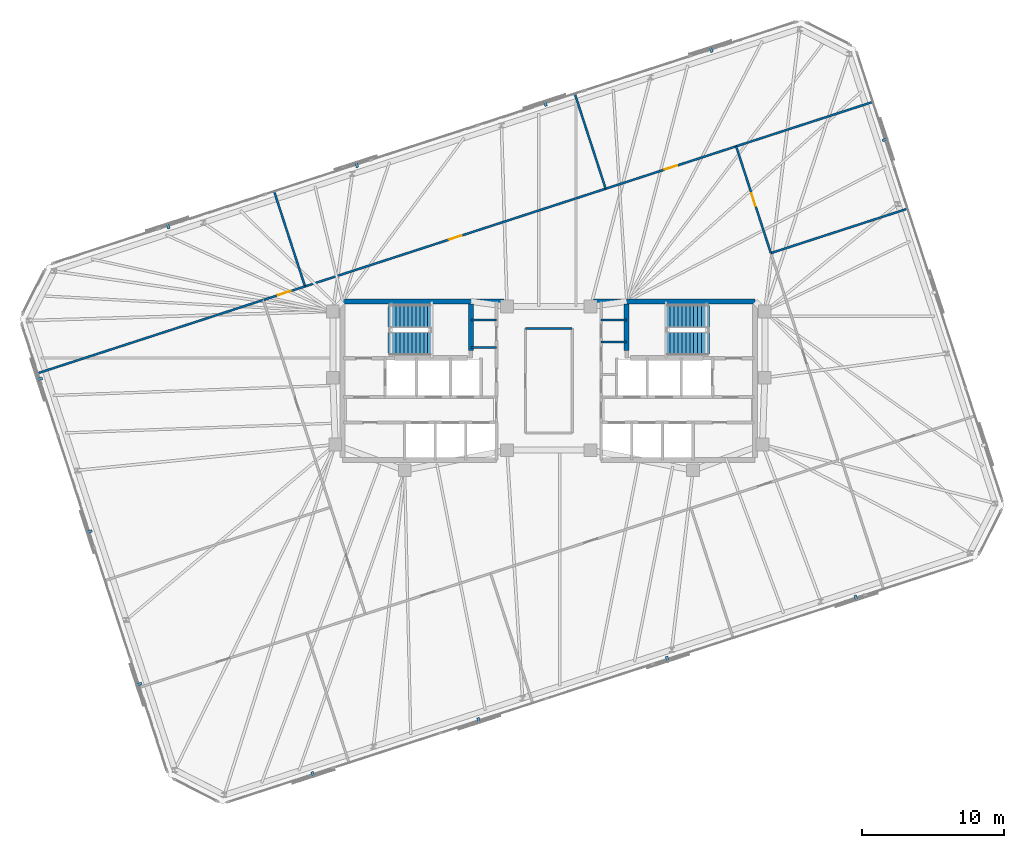
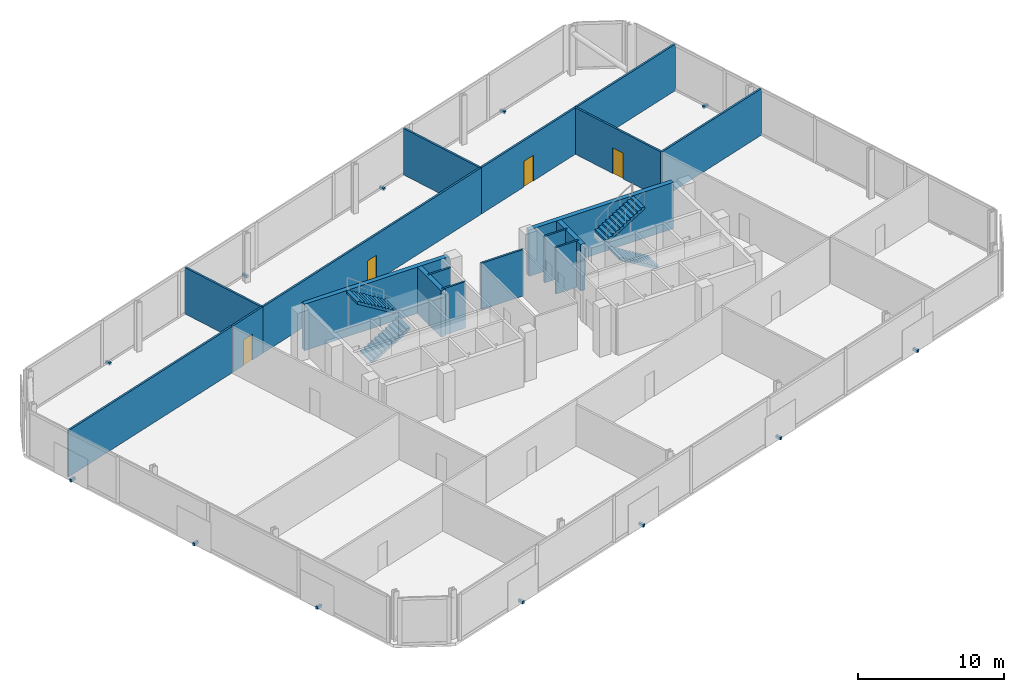
# One storey, part 12 of 14: 18 walls, 12 discrete accessories, 4 doors, 4 stair flights, 4 openings, 2 elements without a shape of their own.
"""IFC4 building model written with IfcOpenShell, lengths in metres."""

import ifcopenshell
import ifcopenshell.guid

model = None  # the IFC model being written
_history = None  # IfcOwnerHistory: only IFC2X3 demands one
_inside = {}  # id of a spatial element -> (the spatial element, [elements in it])
_under = {}  # id of a project, library or spatial element -> (it, [spatial elements below it])
_declared = {}  # id of a project -> (the project, [libraries it declares])
_typed = {}  # id of a type object -> (the type object, [elements of that type])
_made_of = {}  # id of a material, layer set ... -> (it, [elements and type objects made of it])


def new_model(schema):
    """Start an empty IFC model of exactly this schema.

    Asked for "IFC4X3", IfcOpenShell would pick the latest addendum, in which some entities
    have other attributes; the version numbers below select the first issue.
    IFC2X3 requires an IfcOwnerHistory on every rooted entity: one is made here for all.
    """
    global model, _history
    if schema == "IFC4X3":
        model = ifcopenshell.file(schema_version=(4, 3, 0, 0))
    else:
        model = ifcopenshell.file(schema=schema)
    _inside.clear()
    _under.clear()
    _declared.clear()
    _typed.clear()
    _made_of.clear()
    _history = None
    if model.schema == "IFC2X3":
        org = make("IfcOrganization", Name="unknown")
        user = make(
            "IfcPersonAndOrganization",
            ThePerson=make("IfcPerson", FamilyName="unknown"),
            TheOrganization=org,
        )
        app = make(
            "IfcApplication",
            ApplicationDeveloper=org,
            Version="unknown",
            ApplicationFullName="unknown",
            ApplicationIdentifier="unknown",
        )
        _history = make(
            "IfcOwnerHistory",
            OwningUser=user,
            OwningApplication=app,
            ChangeAction="ADDED",
            CreationDate=0,
        )
    return model


def make(cls, **values):
    """One entity of the class cls with the attributes given. An attribute that is None is left unset."""
    return model.create_entity(
        cls, **{name: value for name, value in values.items() if value is not None}
    )


def rooted(cls, **values):
    """An entity with a GlobalId (a new one), such as an element, a storey or a relation."""
    return make(cls, GlobalId=ifcopenshell.guid.new(), OwnerHistory=_history, **values)


def si_unit(unit_type, name, prefix=None):
    """IfcSIUnit, for example si_unit("LENGTHUNIT", "METRE", prefix="MILLI")."""
    return make("IfcSIUnit", UnitType=unit_type, Prefix=prefix, Name=name)


def assignment(units):
    """IfcUnitAssignment: the units of a project."""
    return None if units is None else make("IfcUnitAssignment", Units=units)


def point(xyz):
    """IfcCartesianPoint."""
    return None if xyz is None else make("IfcCartesianPoint", Coordinates=xyz)


def direction(xyz):
    """IfcDirection."""
    return None if xyz is None else make("IfcDirection", DirectionRatios=xyz)


def frame(location, z_axis=None, x_axis=None):
    """IfcAxis2Placement3D, a coordinate frame: its origin and axes. An axis left out is left unset."""
    return make(
        "IfcAxis2Placement3D",
        Location=point(location),
        Axis=direction(z_axis),
        RefDirection=direction(x_axis),
    )


def frame_2d(location, x_axis=None):
    """IfcAxis2Placement2D, a coordinate frame in the plane: its origin and x axis."""
    return make(
        "IfcAxis2Placement2D", Location=point(location), RefDirection=direction(x_axis)
    )


def origin():
    """The frame at (0, 0, 0) with its axes left unset."""
    return frame((0.0, 0.0, 0.0))


def origin_2d():
    """The frame at (0, 0) in the plane with its x axis left unset."""
    return frame_2d((0.0, 0.0))


def place(relative_to, where):
    """IfcLocalPlacement: puts the frame where relative to a parent placement (None: the world)."""
    return make(
        "IfcLocalPlacement", PlacementRelTo=relative_to, RelativePlacement=where
    )


def context(
    kind, dimensions, precision=None, world=None, true_north=None, identifier=None
):
    """IfcGeometricRepresentationContext, for example the 3D "Model" context."""
    return make(
        "IfcGeometricRepresentationContext",
        ContextIdentifier=identifier,
        ContextType=kind,
        CoordinateSpaceDimension=dimensions,
        Precision=precision,
        WorldCoordinateSystem=world,
        TrueNorth=true_north,
    )


def subcontext(parent, identifier, kind, view, scale=None):
    """IfcGeometricRepresentationSubContext, for example "Body" below "Model"."""
    return make(
        "IfcGeometricRepresentationSubContext",
        ContextIdentifier=identifier,
        ContextType=kind,
        ParentContext=parent,
        TargetScale=scale,
        TargetView=view,
    )


def project(units=None, contexts=None):
    """IfcProject with its units and contexts."""
    return rooted(
        "IfcProject",
        Name="project",
        RepresentationContexts=contexts,
        UnitsInContext=assignment(units),
    )


def spatial(cls, under=None, at=None, **own):
    """A site, building, storey or space (cls), placed at a placement, below another one or the project."""
    s = rooted(cls, ObjectPlacement=at, **own)
    if under is not None:
        _under.setdefault(under.id(), (under, []))[1].append(s)
    return s


def polyline(points):
    """IfcPolyline through the points."""
    return make("IfcPolyline", Points=[point(p) for p in points])


def profile(cls, at=None, kind="AREA", **sizes):
    """A parametric profile (cls). Its sizes go by their IFC names, for example OverallWidth=200.0."""
    return make(cls, ProfileType=kind, Position=at, **sizes)


def rectangle(**sizes):
    """IfcRectangleProfileDef."""
    return profile("IfcRectangleProfileDef", **sizes)


def outline(outer, holes=None, kind="AREA"):
    """IfcArbitraryClosedProfileDef: a profile drawn as a closed curve; with holes, ...WithVoids."""
    if holes is None:
        return make("IfcArbitraryClosedProfileDef", ProfileType=kind, OuterCurve=outer)
    return make(
        "IfcArbitraryProfileDefWithVoids",
        ProfileType=kind,
        OuterCurve=outer,
        InnerCurves=holes,
    )


def extrude(swept, where, along, depth):
    """IfcExtrudedAreaSolid: the profile swept, set in the frame where, extruded along a direction by depth."""
    return make(
        "IfcExtrudedAreaSolid",
        SweptArea=swept,
        Position=where,
        ExtrudedDirection=direction(along),
        Depth=depth,
    )


def shape(context_of_items, identifier, shape_type, items):
    """IfcShapeRepresentation: the items that make up one representation, for example the "Body"."""
    return make(
        "IfcShapeRepresentation",
        ContextOfItems=context_of_items,
        RepresentationIdentifier=identifier,
        RepresentationType=shape_type,
        Items=items,
    )


def material(Name=None, Category=None):
    """IfcMaterial."""
    return make("IfcMaterial", Name=Name, Category=Category)


def layer(
    of_material, thickness, ventilated=None, Name=None, Category=None, Priority=None
):
    """IfcMaterialLayer: one layer of a wall or slab, of a material (None: an air gap)."""
    return make(
        "IfcMaterialLayer",
        Material=of_material,
        LayerThickness=thickness,
        IsVentilated=ventilated,
        Name=Name,
        Category=Category,
        Priority=Priority,
    )


def layer_set(layers, Name=None):
    """IfcMaterialLayerSet."""
    return make("IfcMaterialLayerSet", MaterialLayers=layers, LayerSetName=Name)


def made_of(thing, what):
    """Note that an element or type object is made of a material, layer set ...; save() writes the relation."""
    if what is not None:
        _made_of.setdefault(what.id(), (what, []))[1].append(thing)
    return thing


def type_object(cls, material=None, **own):
    """A type object (cls), such as IfcWallType, which elements share."""
    return made_of(rooted(cls, **own), material)


def element(
    cls,
    number,
    at=None,
    inside=None,
    cuts=None,
    type_object=None,
    material=None,
    context=None,
    identifier="Body",
    shape_type=None,
    held_by="IfcProductDefinitionShape",
    body=None,
    shapes=None,
    **own,
):
    """One element of the class cls, such as IfcWall. Its Tag is "e" and its number.

    at: its placement. inside: the storey or other place that contains it. cuts: it is an
    opening in that element (IfcRelVoidsElement). A single representation is given by context,
    identifier, shape_type and body (its items); several are given by shapes. held_by: the class
    of the entity that holds the representations. save() writes the other relations.
    """
    e = rooted(cls, Tag="e%d" % number, ObjectPlacement=at, **own)
    if body is not None:
        shapes = [shape(context, identifier, shape_type, body)]
    if shapes is not None:
        e.Representation = make(held_by, Representations=shapes)
    if inside is not None:
        _inside.setdefault(inside.id(), (inside, []))[1].append(e)
    if cuts is not None:
        rooted(
            "IfcRelVoidsElement", RelatingBuildingElement=cuts, RelatedOpeningElement=e
        )
    if type_object is not None:
        _typed.setdefault(type_object.id(), (type_object, []))[1].append(e)
    return made_of(e, material)


def fill(opening, filler):
    """IfcRelFillsElement: the door or window that sits in an opening."""
    return rooted(
        "IfcRelFillsElement",
        RelatingOpeningElement=opening,
        RelatedBuildingElement=filler,
    )


def aggregate(whole, parts):
    """IfcRelAggregates: a whole, such as a stair, and the parts it consists of."""
    return rooted("IfcRelAggregates", RelatingObject=whole, RelatedObjects=parts)


def save(model, path):
    """Write the relations noted so far, then the file.

    IfcRelAggregates (storeys below a building ...), IfcRelContainedInSpatialStructure (elements
    in a storey), IfcRelDefinesByType, IfcRelAssociatesMaterial and IfcRelDeclares: one each for
    every whole, place, type object, material and project.
    """
    for whole, parts in _under.values():
        aggregate(whole, parts)
    for where, things in _inside.values():
        rooted(
            "IfcRelContainedInSpatialStructure",
            RelatedElements=things,
            RelatingStructure=where,
        )
    for kind, things in _typed.values():
        rooted("IfcRelDefinesByType", RelatedObjects=things, RelatingType=kind)
    for what, things in _made_of.values():
        rooted("IfcRelAssociatesMaterial", RelatedObjects=things, RelatingMaterial=what)
    for by, libraries in _declared.values():
        rooted("IfcRelDeclares", RelatingContext=by, RelatedDefinitions=libraries)
    model.write(path)


model = new_model("IFC4")

# Units and contexts
model_context = context("Model", 3, precision=1e-05, world=origin(), true_north=direction((0.0, 1.0)))
body_context = subcontext(model_context, "Body", "Model", "MODEL_VIEW")
ifc_project = project(units=[si_unit("LENGTHUNIT", "METRE"), si_unit("AREAUNIT", "SQUARE_METRE"), si_unit("VOLUMEUNIT", "CUBIC_METRE"), si_unit("PLANEANGLEUNIT", "RADIAN"), si_unit("MASSUNIT", "GRAM", prefix="KILO")], contexts=[model_context])

# Site, building, storey
site_placement = place(None, origin())
site = spatial("IfcSite", under=ifc_project, at=site_placement, CompositionType="ELEMENT")
building_placement = place(site_placement, origin())
building = spatial("IfcBuilding", under=site, at=building_placement, Name="Menara Jurai Vektor", CompositionType="ELEMENT")
storey_placement = place(building_placement, frame((0.0, 0.0, 206.800048828125)))
storey = spatial("IfcBuildingStorey", under=building, at=storey_placement, Name="L54", CompositionType="ELEMENT", Elevation=206.800048828125)

# Walls
ifc_material_1 = material(Name="Gypsum Fireboard Partition", Category="gypsum")
ifc_layer_1 = layer(ifc_material_1, 0.14990234375)
ifc_layer_set_1 = layer_set([ifc_layer_1], Name="Gypsum Fireboard Partition")
wall_type_1 = type_object("IfcWallType", Name="INT-WALL-CORR-150", PredefinedType="PARTITIONING", material=ifc_layer_set_1)
for number, where, z_axis, x_axis, name in (
    (1, (-5.5, 4.300048828125, 0.0), (0.0, 0.0, 1.0), (1.0, 0.0, 0.0), "Interior Wall IW-150 L54"),
    (2, (-5.5, 2.35009765625, 0.0), (0.0, 0.0, 1.0), (1.0, 0.0, 0.0), "Interior Wall IW-150 L54"),
    (3, (3.699951171875, 4.300048828125, 0.0), (0.0, 0.0, 1.0), (1.0, 0.0, 0.0), "Interior Wall IW-150 L54"),
    (4, (3.699951171875, 2.75, 0.0), (0.0, 0.0, 1.0), (1.0, 0.0, 0.0), "Interior Wall IW-150 L54"),
):
    element("IfcWall", number, at=place(storey_placement, frame(where, z_axis=z_axis, x_axis=x_axis)), inside=storey, type_object=wall_type_1, Name=name, PredefinedType="PARTITIONING", context=body_context, shape_type="SweptSolid", body=[
        extrude(rectangle(XDim=1.800048828125, YDim=0.14990234375, at=frame_2d((0.89990234375, 0.0))), origin(), (0.0, 0.0, 1.0), 3.875),
    ])
wall_1_placement = place(storey_placement, frame((-1.649658203125, 3.68994140625, 0.0), z_axis=(0.0, 0.0, 1.0), x_axis=(0.999999997263, -7.3991861e-05, 0.0)))
element("IfcWall", 5, at=wall_1_placement, inside=storey, type_object=wall_type_1, Name="Interior Wall IW-150 L54", PredefinedType="PARTITIONING", context=body_context, shape_type="SweptSolid", body=[
    extrude(rectangle(XDim=3.299560546875, YDim=0.14990234375, at=frame_2d((1.64990234375, 0.0))), origin(), (0.0, 0.0, 1.0), 3.875),
])

# Wall, opening, door
wall_2_placement = place(storey_placement, frame((-20.122802734375, 5.71875, 0.0), z_axis=(0.0, 0.0, 1.0), x_axis=(0.95105108089, 0.309033722331, 0.0)))
wall_2 = element("IfcWall", 6, at=wall_2_placement, inside=storey, type_object=wall_type_1, Name="Interior Wall IW-150 L54", PredefinedType="PARTITIONING", context=body_context, shape_type="SweptSolid", body=[
    extrude(rectangle(XDim=3.05810546875, YDim=0.14990234375, at=frame_2d((1.529052734375, 0.0))), origin(), (0.0, 0.0, 1.0), 3.875),
])
opening_1_placement = place(wall_2_placement, frame((1.053955078125, 0.0, 0.0)))
opening_1 = element("IfcOpeningElement", 7, at=opening_1_placement, cuts=wall_2, Name="Opening D54-09", PredefinedType="OPENING", context=body_context, shape_type="SweptSolid", body=[
    extrude(rectangle(XDim=0.949951171875, YDim=2.14990234375, at=frame_2d((0.47509765625, 1.074951171875))), frame((0.0, 0.0849609375, 0.0), z_axis=(0.0, -1.0, 0.0), x_axis=(1.0, 0.0, 0.0)), (0.0, 0.0, 1.0), 0.169921875),
])
ifc_material_2 = material(Name="Solid Core Timber Fire Door", Category="wood")
door_type = type_object("IfcDoorType", Name="DR-ENTRY-950", OperationType="NOTDEFINED", PredefinedType="DOOR", material=ifc_material_2)
door_1_placement = place(opening_1_placement, origin())
door_1 = element("IfcDoor", 8, at=door_1_placement, inside=storey, type_object=door_type, Name="Interior Door D54-09", OperationType="SINGLE_SWING_RIGHT", OverallHeight=2.14990234375, OverallWidth=0.949951171875, PredefinedType="DOOR", context=body_context, shape_type="SweptSolid", body=[
    extrude(rectangle(XDim=0.949951171875, YDim=2.14990234375, at=frame_2d((0.47509765625, 1.074951171875))), frame((0.0, 0.02490234375, 0.0), z_axis=(0.0, -1.0, 0.0), x_axis=(1.0, 0.0, 0.0)), (0.0, 0.0, 1.0), 0.050048828125),
])
fill(opening_1, door_1)

wall_3_placement = place(storey_placement, frame((-17.21435546875, 6.663818359375, 0.0), z_axis=(0.0, 0.0, 1.0), x_axis=(0.951056894815, 0.309015829409, 0.0)))
wall_3 = element("IfcWall", 9, at=wall_3_placement, inside=storey, type_object=wall_type_1, Name="Interior Wall IW-150 L54", PredefinedType="PARTITIONING", context=body_context, shape_type="SweptSolid", body=[
    extrude(rectangle(XDim=22.320068359375, YDim=0.14990234375, at=frame_2d((11.16015625, 0.0))), origin(), (0.0, 0.0, 1.0), 3.875),
])
opening_2_placement = place(wall_3_placement, frame((10.68505859375, 0.0, 0.0)))
opening_2 = element("IfcOpeningElement", 10, at=opening_2_placement, cuts=wall_3, Name="Opening D54-10", PredefinedType="OPENING", context=body_context, shape_type="SweptSolid", body=[
    extrude(rectangle(XDim=0.949951171875, YDim=2.14990234375, at=frame_2d((0.47509765625, 1.074951171875))), frame((0.0, 0.0849609375, 0.0), z_axis=(0.0, -1.0, 0.0), x_axis=(1.0, 0.0, 0.0)), (0.0, 0.0, 1.0), 0.169921875),
])
door_2_placement = place(opening_2_placement, origin())
door_2 = element("IfcDoor", 11, at=door_2_placement, inside=storey, type_object=door_type, Name="Interior Door D54-10", OperationType="SINGLE_SWING_LEFT", OverallHeight=2.14990234375, OverallWidth=0.949951171875, PredefinedType="DOOR", context=body_context, shape_type="SweptSolid", body=[
    extrude(rectangle(XDim=0.949951171875, YDim=2.14990234375, at=frame_2d((0.47509765625, 1.074951171875))), frame((0.0, 0.02490234375, 0.0), z_axis=(0.0, -1.0, 0.0), x_axis=(1.0, 0.0, 0.0)), (0.0, 0.0, 1.0), 0.050048828125),
])
fill(opening_2, door_2)

wall_4_placement = place(storey_placement, frame((4.01318359375, 13.56103515625, 0.0), z_axis=(0.0, 0.0, 1.0), x_axis=(0.951057772929, 0.309013126826, 0.0)))
wall_4 = element("IfcWall", 12, at=wall_4_placement, inside=storey, type_object=wall_type_1, Name="Interior Wall IW-150 L54", PredefinedType="PARTITIONING", context=body_context, shape_type="SweptSolid", body=[
    extrude(rectangle(XDim=9.68701171875, YDim=0.14990234375, at=frame_2d((4.843505859375, 0.0))), origin(), (0.0, 0.0, 1.0), 3.875),
])
opening_3_placement = place(wall_4_placement, frame((4.368408203125, 0.0, 0.0)))
opening_3 = element("IfcOpeningElement", 13, at=opening_3_placement, cuts=wall_4, Name="Opening D54-11", PredefinedType="OPENING", context=body_context, shape_type="SweptSolid", body=[
    extrude(rectangle(XDim=0.949951171875, YDim=2.14990234375, at=frame_2d((0.47509765625, 1.074951171875))), frame((0.0, 0.0849609375, 0.0), z_axis=(0.0, -1.0, 0.0), x_axis=(1.0, 0.0, 0.0)), (0.0, 0.0, 1.0), 0.169921875),
])
door_3_placement = place(opening_3_placement, origin())
door_3 = element("IfcDoor", 14, at=door_3_placement, inside=storey, type_object=door_type, Name="Interior Door D54-11", OperationType="SINGLE_SWING_RIGHT", OverallHeight=2.14990234375, OverallWidth=0.949951171875, PredefinedType="DOOR", context=body_context, shape_type="SweptSolid", body=[
    extrude(rectangle(XDim=0.949951171875, YDim=2.14990234375, at=frame_2d((0.47509765625, 1.074951171875))), frame((0.0, 0.02490234375, 0.0), z_axis=(0.0, -1.0, 0.0), x_axis=(1.0, 0.0, 0.0)), (0.0, 0.0, 1.0), 0.050048828125),
])
fill(opening_3, door_3)

wall_5_placement = place(storey_placement, frame((15.67578125, 9.015380859375, 0.0), z_axis=(0.0, 0.0, 1.0), x_axis=(-0.30903035975, 0.951052173518, 0.0)))
wall_5 = element("IfcWall", 15, at=wall_5_placement, inside=storey, type_object=wall_type_1, Name="Interior Wall IW-150 L54", PredefinedType="PARTITIONING", context=body_context, shape_type="SweptSolid", body=[
    extrude(rectangle(XDim=7.927001953125, YDim=0.14990234375, at=frame_2d((3.96337890625, 0.0))), origin(), (0.0, 0.0, 1.0), 3.875),
])
opening_4_placement = place(wall_5_placement, frame((3.488525390625, 0.0, 0.0)))
opening_4 = element("IfcOpeningElement", 16, at=opening_4_placement, cuts=wall_5, Name="Opening D54-18", PredefinedType="OPENING", context=body_context, shape_type="SweptSolid", body=[
    extrude(rectangle(XDim=0.949951171875, YDim=2.14990234375, at=frame_2d((0.47509765625, 1.074951171875))), frame((0.0, 0.0849609375, 0.0), z_axis=(0.0, -1.0, 0.0), x_axis=(1.0, 0.0, 0.0)), (0.0, 0.0, 1.0), 0.169921875),
])
door_4_placement = place(opening_4_placement, origin())
door_4 = element("IfcDoor", 17, at=door_4_placement, inside=storey, type_object=door_type, Name="Interior Door D54-18", OperationType="SINGLE_SWING_LEFT", OverallHeight=2.14990234375, OverallWidth=0.949951171875, PredefinedType="DOOR", context=body_context, shape_type="SweptSolid", body=[
    extrude(rectangle(XDim=0.949951171875, YDim=2.14990234375, at=frame_2d((0.47509765625, 1.074951171875))), frame((0.0, 0.02490234375, 0.0), z_axis=(0.0, -1.0, 0.0), x_axis=(1.0, 0.0, 0.0)), (0.0, 0.0, 1.0), 0.050048828125),
])
fill(opening_4, door_4)

# Walls
wall_6_placement = place(storey_placement, frame((-17.21435546875, 6.663818359375, 0.0), z_axis=(0.0, 0.0, 1.0), x_axis=(-0.30900233296, 0.951061279953, 0.0)))
element("IfcWall", 18, at=wall_6_placement, inside=storey, type_object=wall_type_1, Name="Interior Wall IW-150 L54", PredefinedType="PARTITIONING", context=body_context, shape_type="SweptSolid", body=[
    extrude(rectangle(XDim=7.053955078125, YDim=0.14990234375, at=frame_2d((3.52685546875, 0.0))), origin(), (0.0, 0.0, 1.0), 3.875),
])
wall_7_placement = place(storey_placement, frame((-36.083251953125, 0.532958984375, 0.0), z_axis=(0.0, 0.0, 1.0), x_axis=(0.95105881752, 0.309009911842, 0.0)))
element("IfcWall", 19, at=wall_7_placement, inside=storey, type_object=wall_type_1, Name="Interior Wall IW-150 L54", PredefinedType="PARTITIONING", context=body_context, shape_type="SweptSolid", body=[
    extrude(rectangle(XDim=16.744140625, YDim=0.14990234375, at=frame_2d((8.3720703125, 0.0))), origin(), (0.0, 0.0, 1.0), 3.875),
])
wall_8_placement = place(storey_placement, frame((4.01318359375, 13.56103515625, 0.0), z_axis=(0.0, 0.0, 1.0), x_axis=(-0.30900233296, 0.951061279953, 0.0)))
element("IfcWall", 20, at=wall_8_placement, inside=storey, type_object=wall_type_1, Name="Interior Wall IW-150 L54", PredefinedType="PARTITIONING", context=body_context, shape_type="SweptSolid", body=[
    extrude(rectangle(XDim=7.053955078125, YDim=0.14990234375, at=frame_2d((3.52685546875, 0.0))), origin(), (0.0, 0.0, 1.0), 3.875),
])
for number, where, z_axis, x_axis, name in (
    (21, (13.22607421875, 16.554443359375, 0.0), (0.0, 0.0, 1.0), (0.951055801856, 0.309019193185, 0.0), "Interior Wall IW-150 L54"),
    (22, (15.67578125, 9.015380859375, 0.0), (0.0, 0.0, 1.0), (0.951055801856, 0.309019193185, 0.0), "Interior Wall IW-150 L54"),
):
    element("IfcWall", number, at=place(storey_placement, frame(where, z_axis=z_axis, x_axis=x_axis)), inside=storey, type_object=wall_type_1, Name=name, PredefinedType="PARTITIONING", context=body_context, shape_type="SweptSolid", body=[
        extrude(rectangle(XDim=10.15283203125, YDim=0.14990234375, at=frame_2d((5.076416015625, 0.0))), origin(), (0.0, 0.0, 1.0), 3.875),
    ])
ifc_material_3 = material(Name="Concrete C50/60", Category="concrete")
ifc_layer_2 = layer(ifc_material_3, 0.35009765625)
ifc_layer_set_2 = layer_set([ifc_layer_2], Name="Concrete C50/60")
wall_type_2 = type_object("IfcWallType", Name="STR-WALL-CORE350", PredefinedType="SHEAR", material=ifc_layer_set_2)
wall_9_placement = place(storey_placement, frame((-14.56005859375, 5.60009765625, 0.0), z_axis=(0.0, 0.0, 1.0), x_axis=(1.0, 0.0, 0.0)))
element("IfcWall", 23, at=wall_9_placement, inside=storey, type_object=wall_type_2, Name="Core Shear Wall CW-W-N L54", PredefinedType="SHEAR", context=body_context, shape_type="SweptSolid", body=[
    extrude(rectangle(XDim=11.41015625, YDim=0.35009765625, at=frame_2d((5.705078125, 0.0))), origin(), (0.0, 0.0, 1.0), 3.875),
])
wall_10_placement = place(storey_placement, frame((-5.5, 2.14990234375, 0.0), z_axis=(0.0, 0.0, 1.0), x_axis=(0.0, 1.0, 0.0)))
element("IfcWall", 24, at=wall_10_placement, inside=storey, type_object=wall_type_2, Name="Core Shear Wall CW-W-ST L54", PredefinedType="SHEAR", context=body_context, shape_type="SweptSolid", body=[
    extrude(rectangle(XDim=3.275146484375, YDim=0.35009765625, at=frame_2d((1.6376953125, 0.0))), origin(), (0.0, 0.0, 1.0), 3.875),
])
wall_11_placement = place(storey_placement, frame((3.14990234375, 5.60009765625, 0.0), z_axis=(0.0, 0.0, 1.0), x_axis=(1.0, 0.0, 0.0)))
element("IfcWall", 25, at=wall_11_placement, inside=storey, type_object=wall_type_2, Name="Core Shear Wall CW-E-N L54", PredefinedType="SHEAR", context=body_context, shape_type="SweptSolid", body=[
    extrude(rectangle(XDim=11.41015625, YDim=0.35009765625, at=frame_2d((5.705078125, 0.0))), origin(), (0.0, 0.0, 1.0), 3.875),
])
wall_12_placement = place(storey_placement, frame((5.5, 2.14990234375, 0.0), z_axis=(0.0, 0.0, 1.0), x_axis=(0.0, 1.0, 0.0)))
element("IfcWall", 26, at=wall_12_placement, inside=storey, type_object=wall_type_2, Name="Core Shear Wall CW-E-ST L54", PredefinedType="SHEAR", context=body_context, shape_type="SweptSolid", body=[
    extrude(rectangle(XDim=3.275146484375, YDim=0.35009765625, at=frame_2d((1.6376953125, 0.0))), origin(), (0.0, 0.0, 1.0), 3.875),
])

# Stair, stair flights
ifc_material_4 = material(Name="Concrete C40/50", Category="concrete")
stair_type = type_object("IfcStairType", Name="STAIR-DOGLEG-1500", PredefinedType="HALF_TURN_STAIR", material=ifc_material_4)
stair_1_placement = place(storey_placement, origin())
stair_1 = element("IfcStair", 27, at=stair_1_placement, inside=storey, type_object=stair_type, Name="Protected Exit Stair ST1 L54", PredefinedType="HALF_TURN_STAIR")
stair_flight_type = type_object("IfcStairFlightType", Name="STAIR-FLIGHT-1500", PredefinedType="STRAIGHT", material=ifc_material_4)
stair_flight_1_placement = place(storey_placement, frame((-11.35009765625, 2.64990234375, 0.0), z_axis=(0.0, 0.0, 1.0), x_axis=(1.0, 0.0, 0.0)))
stair_flight_1 = element("IfcStairFlight", 28, at=stair_flight_1_placement, type_object=stair_flight_type, Name="ST1 flight 1", NumberOfRisers=12, NumberOfTreads=11, PredefinedType="STRAIGHT", RiserHeight=0.170833, TreadLength=0.28, context=body_context, shape_type="SweptSolid", body=[
    extrude(outline(polyline([(0.0, 0.0), (0.0, 0.1708984375), (0.280029296875, 0.1708984375), (0.280029296875, 0.341552734375), (0.56005859375, 0.341552734375), (0.56005859375, 0.512451171875), (0.840087890625, 0.512451171875), (0.840087890625, 0.683349609375), (1.1201171875, 0.683349609375), (1.1201171875, 0.854248046875), (1.39990234375, 0.854248046875), (1.39990234375, 1.02490234375), (1.679931640625, 1.02490234375), (1.679931640625, 1.19580078125), (1.9599609375, 1.19580078125), (1.9599609375, 1.36669921875), (2.239990234375, 1.36669921875), (2.239990234375, 1.53759765625), (2.52001953125, 1.53759765625), (2.52001953125, 1.708251953125), (2.800048828125, 1.708251953125), (2.800048828125, 1.879150390625), (3.080078125, 1.879150390625), (3.080078125, 2.050048828125), (3.080078125, 1.69189453125), (0.30712890625, 0.0), (0.0, 0.0)])), frame((0.0, 0.75, 0.0), z_axis=(0.0, -1.0, 0.0), x_axis=(1.0, 0.0, 0.0)), (0.0, 0.0, 1.0), 1.5),
])
stair_flight_2_placement = place(storey_placement, frame((-8.27001953125, 4.550048828125, 2.050048828125), z_axis=(0.0, 0.0, 1.0), x_axis=(-1.0, 0.0, 0.0)))
stair_flight_2 = element("IfcStairFlight", 29, at=stair_flight_2_placement, type_object=stair_flight_type, Name="ST1 flight 2", NumberOfRisers=12, NumberOfTreads=11, PredefinedType="STRAIGHT", RiserHeight=0.170833, TreadLength=0.28, context=body_context, shape_type="SweptSolid", body=[
    extrude(outline(polyline([(0.0, 0.0), (0.0, 0.1708984375), (0.280029296875, 0.1708984375), (0.280029296875, 0.341552734375), (0.56005859375, 0.341552734375), (0.56005859375, 0.512451171875), (0.840087890625, 0.512451171875), (0.840087890625, 0.683349609375), (1.1201171875, 0.683349609375), (1.1201171875, 0.854248046875), (1.39990234375, 0.854248046875), (1.39990234375, 1.02490234375), (1.679931640625, 1.02490234375), (1.679931640625, 1.19580078125), (1.9599609375, 1.19580078125), (1.9599609375, 1.36669921875), (2.239990234375, 1.36669921875), (2.239990234375, 1.53759765625), (2.52001953125, 1.53759765625), (2.52001953125, 1.708251953125), (2.800048828125, 1.708251953125), (2.800048828125, 1.879150390625), (3.080078125, 1.879150390625), (3.080078125, 2.050048828125), (3.080078125, 1.69189453125), (0.30712890625, 0.0), (0.0, 0.0)])), frame((0.0, 0.75, 0.0), z_axis=(0.0, -1.0, 0.0), x_axis=(1.0, 0.0, 0.0)), (0.0, 0.0, 1.0), 1.5),
])
aggregate(stair_1, [stair_flight_1, stair_flight_2])

stair_2_placement = place(storey_placement, origin())
stair_2 = element("IfcStair", 30, at=stair_2_placement, inside=storey, type_object=stair_type, Name="Protected Exit Stair ST2 L54", PredefinedType="HALF_TURN_STAIR")
stair_flight_3_placement = place(storey_placement, frame((11.35009765625, 2.64990234375, 0.0), z_axis=(0.0, 0.0, 1.0), x_axis=(-1.0, 0.0, 0.0)))
stair_flight_3 = element("IfcStairFlight", 31, at=stair_flight_3_placement, type_object=stair_flight_type, Name="ST2 flight 1", NumberOfRisers=12, NumberOfTreads=11, PredefinedType="STRAIGHT", RiserHeight=0.170833, TreadLength=0.28, context=body_context, shape_type="SweptSolid", body=[
    extrude(outline(polyline([(0.0, 0.0), (0.0, 0.1708984375), (0.280029296875, 0.1708984375), (0.280029296875, 0.341552734375), (0.56005859375, 0.341552734375), (0.56005859375, 0.512451171875), (0.840087890625, 0.512451171875), (0.840087890625, 0.683349609375), (1.1201171875, 0.683349609375), (1.1201171875, 0.854248046875), (1.39990234375, 0.854248046875), (1.39990234375, 1.02490234375), (1.679931640625, 1.02490234375), (1.679931640625, 1.19580078125), (1.9599609375, 1.19580078125), (1.9599609375, 1.36669921875), (2.239990234375, 1.36669921875), (2.239990234375, 1.53759765625), (2.52001953125, 1.53759765625), (2.52001953125, 1.708251953125), (2.800048828125, 1.708251953125), (2.800048828125, 1.879150390625), (3.080078125, 1.879150390625), (3.080078125, 2.050048828125), (3.080078125, 1.69189453125), (0.30712890625, 0.0), (0.0, 0.0)])), frame((0.0, 0.75, 0.0), z_axis=(0.0, -1.0, 0.0), x_axis=(1.0, 0.0, 0.0)), (0.0, 0.0, 1.0), 1.5),
])
stair_flight_4_placement = place(storey_placement, frame((8.27001953125, 4.550048828125, 2.050048828125), z_axis=(0.0, 0.0, 1.0), x_axis=(1.0, 0.0, 0.0)))
stair_flight_4 = element("IfcStairFlight", 32, at=stair_flight_4_placement, type_object=stair_flight_type, Name="ST2 flight 2", NumberOfRisers=12, NumberOfTreads=11, PredefinedType="STRAIGHT", RiserHeight=0.170833, TreadLength=0.28, context=body_context, shape_type="SweptSolid", body=[
    extrude(outline(polyline([(0.0, 0.0), (0.0, 0.1708984375), (0.280029296875, 0.1708984375), (0.280029296875, 0.341552734375), (0.56005859375, 0.341552734375), (0.56005859375, 0.512451171875), (0.840087890625, 0.512451171875), (0.840087890625, 0.683349609375), (1.1201171875, 0.683349609375), (1.1201171875, 0.854248046875), (1.39990234375, 0.854248046875), (1.39990234375, 1.02490234375), (1.679931640625, 1.02490234375), (1.679931640625, 1.19580078125), (1.9599609375, 1.19580078125), (1.9599609375, 1.36669921875), (2.239990234375, 1.36669921875), (2.239990234375, 1.53759765625), (2.52001953125, 1.53759765625), (2.52001953125, 1.708251953125), (2.800048828125, 1.708251953125), (2.800048828125, 1.879150390625), (3.080078125, 1.879150390625), (3.080078125, 2.050048828125), (3.080078125, 1.69189453125), (0.30712890625, 0.0), (0.0, 0.0)])), frame((0.0, 0.75, 0.0), z_axis=(0.0, -1.0, 0.0), x_axis=(1.0, 0.0, 0.0)), (0.0, 0.0, 1.0), 1.5),
])
aggregate(stair_2, [stair_flight_3, stair_flight_4])

# Discrete accessories
ifc_material_5 = material(Name="Steel S355", Category="steel")
discrete_accessory_type = type_object("IfcDiscreteAccessoryType", Name="ENV-ACC-BRACKET", PredefinedType="BRACKET", material=ifc_material_5)
for number, where, z_axis, x_axis, name in (
    (33, (-16.655029296875, -27.806396484375, -0.1298828125), (0.0, 0.0, 1.0), (0.951056516295, 0.309016994375, 0.0), "Solar Screen Stand-Off Bracket L54-S01"),
    (34, (-4.93798828125, -23.99951171875, -0.1298828125), (0.0, 0.0, 1.0), (0.951056516295, 0.309016994375, 0.0), "Solar Screen Stand-Off Bracket L54-S02"),
    (35, (8.376708984375, -19.673095703125, -0.1298828125), (0.0, 0.0, 1.0), (0.951056516295, 0.309016994375, 0.0), "Solar Screen Stand-Off Bracket L54-S03"),
    (36, (21.69140625, -15.346923828125, -0.1298828125), (0.0, 0.0, 1.0), (0.951056516295, 0.309016994375, 0.0), "Solar Screen Stand-Off Bracket L54-S04"),
    (37, (23.7578125, 17.029541015625, -0.1298828125), (0.0, 0.0, 1.0), (-0.309016994375, 0.951056516295, 0.0), "Solar Screen Stand-Off Bracket L54-S07"),
    (38, (11.455078125, 23.406494140625, -0.1298828125), (0.0, 0.0, 1.0), (-0.951056516295, -0.309016994375, 0.0), "Solar Screen Stand-Off Bracket L54-S08"),
    (39, (-0.261962890625, 19.599365234375, -0.1298828125), (0.0, 0.0, 1.0), (-0.951056516295, -0.309016994375, 0.0), "Solar Screen Stand-Off Bracket L54-S09"),
    (40, (-13.576904296875, 15.273193359375, -0.1298828125), (0.0, 0.0, 1.0), (-0.951056516295, -0.309016994375, 0.0), "Solar Screen Stand-Off Bracket L54-S10"),
    (41, (-26.8916015625, 10.947021484375, -0.1298828125), (0.0, 0.0, 1.0), (-0.951056516295, -0.309016994375, 0.0), "Solar Screen Stand-Off Bracket L54-S11"),
    (42, (-35.962158203125, 0.127685546875, -0.1298828125), (0.0, 0.0, 1.0), (0.309016994375, -0.951056516295, 0.0), "Solar Screen Stand-Off Bracket L54-S12"),
    (43, (-32.4599609375, -10.65087890625, -0.1298828125), (0.0, 0.0, 1.0), (0.309016994375, -0.951056516295, 0.0), "Solar Screen Stand-Off Bracket L54-S13"),
    (44, (-28.957763671875, -21.429443359375, -0.1298828125), (0.0, 0.0, 1.0), (0.309016994375, -0.951056516295, 0.0), "Solar Screen Stand-Off Bracket L54-S14"),
):
    element("IfcDiscreteAccessory", number, at=place(storey_placement, frame(where, z_axis=z_axis, x_axis=x_axis)), inside=storey, type_object=discrete_accessory_type, Name=name, PredefinedType="BRACKET", context=body_context, shape_type="SweptSolid", body=[
        extrude(rectangle(XDim=0.179931640625, YDim=0.43994140625, at=origin_2d()), origin(), (0.0, 0.0, 1.0), 0.219970703125),
    ])

save(model, "model.ifc")
